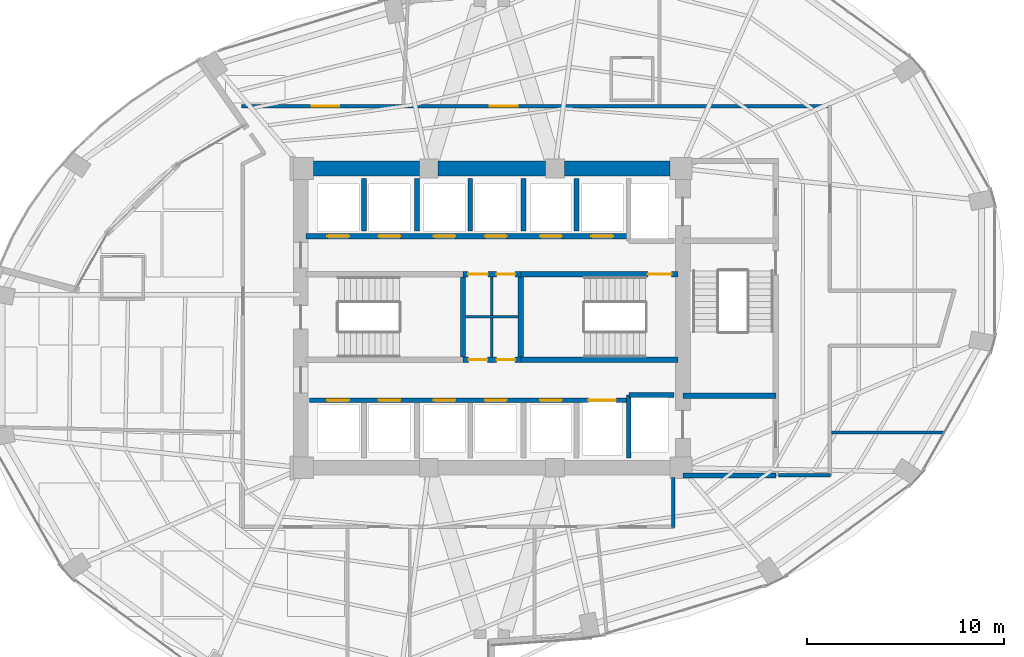
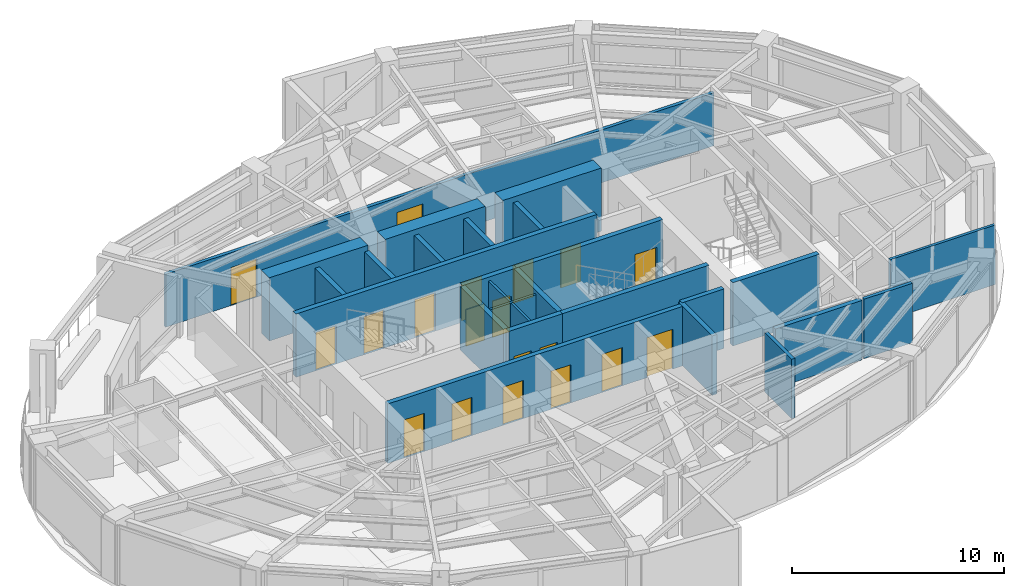
# One storey, part 21 of 24: 26 walls, 19 doors, 19 openings.
"""IFC4 building model written with IfcOpenShell, lengths in metres."""

from ifc_helpers import new_model, si_unit, direction, frame, frame_2d, origin, place, context, subcontext, project, spatial, rectangle, extrude, material, layer, layer_set, type_object, element, fill, save


model = new_model("IFC4")

# Units and contexts
model_context = context("Model", 3, precision=1e-05, world=origin(), true_north=direction((0.0, 1.0)))
body_context = subcontext(model_context, "Body", "Model", "MODEL_VIEW")
ifc_project = project(units=[si_unit("LENGTHUNIT", "METRE"), si_unit("AREAUNIT", "SQUARE_METRE"), si_unit("VOLUMEUNIT", "CUBIC_METRE"), si_unit("PLANEANGLEUNIT", "RADIAN"), si_unit("MASSUNIT", "GRAM", prefix="KILO")], contexts=[model_context])

# Site, building, storey
site_placement = place(None, origin())
site = spatial("IfcSite", under=ifc_project, at=site_placement, CompositionType="ELEMENT")
building_placement = place(site_placement, origin())
building = spatial("IfcBuilding", under=site, at=building_placement, Name="Lazwardi Medical Tower", CompositionType="ELEMENT")
storey_placement = place(building_placement, frame((0.0, 0.0, 110.927978515625)))
storey = spatial("IfcBuildingStorey", under=building, at=storey_placement, Name="L28", CompositionType="ELEMENT", Elevation=110.927978515625)

# Wall, openings, doors
ifc_material_1 = material(Name="Fire-rated gypsum board on steel stud", Category="steel")
ifc_layer_1 = layer(ifc_material_1, 0.179931640625)
ifc_layer_set_1 = layer_set([ifc_layer_1], Name="Fire-rated gypsum board on steel stud")
wall_type_1 = type_object("IfcWallType", Name="WL-COR-180", PredefinedType="PARTITIONING", material=ifc_layer_set_1)
wall_1_placement = place(storey_placement, frame((23.28662109375, 38.75, 0.0), z_axis=(0.0, 0.0, 1.0), x_axis=(1.0, 0.0, 0.0)))
wall_1 = element("IfcWall", 1, at=wall_1_placement, inside=storey, type_object=wall_type_1, Name="L28 Corridor partition 4", PredefinedType="PARTITIONING", context=body_context, shape_type="SweptSolid", body=[
    extrude(rectangle(XDim=29.9033203125, YDim=0.179931640625, at=frame_2d((14.95166015625, 0.0))), origin(), (0.0, 0.0, 1.0), 3.052978515625),
])
opening_1_placement = place(wall_1_placement, frame((12.614990234375, 0.0, 0.0)))
opening_1 = element("IfcOpeningElement", 2, at=opening_1_placement, cuts=wall_1, Name="Opening D-L28-017", PredefinedType="OPENING", context=body_context, shape_type="SweptSolid", body=[
    extrude(rectangle(XDim=1.39990234375, YDim=2.199951171875, at=frame_2d((0.699951171875, 1.10009765625))), frame((0.0, 0.099853515625, 0.0), z_axis=(0.0, -1.0, 0.0), x_axis=(1.0, 0.0, 0.0)), (0.0, 0.0, 1.0), 0.199951171875),
])
opening_2_placement = place(wall_1_placement, frame((3.5673828125, 0.0, 0.0)))
opening_2 = element("IfcOpeningElement", 3, at=opening_2_placement, cuts=wall_1, Name="Opening D-L28-018", PredefinedType="OPENING", context=body_context, shape_type="SweptSolid", body=[
    extrude(rectangle(XDim=1.39990234375, YDim=2.199951171875, at=frame_2d((0.699951171875, 1.10009765625))), frame((0.0, 0.099853515625, 0.0), z_axis=(0.0, -1.0, 0.0), x_axis=(1.0, 0.0, 0.0)), (0.0, 0.0, 1.0), 0.199951171875),
])
ifc_material_2 = material(Name="Anti-microbial laminate hospital leaf")
door_type_1 = type_object("IfcDoorType", Name="DR-BED-1400", OperationType="NOTDEFINED", PredefinedType="DOOR", material=ifc_material_2)
door_1_placement = place(opening_1_placement, origin())
door_1 = element("IfcDoor", 4, at=door_1_placement, inside=storey, type_object=door_type_1, Name="L28 Inpatient Ward Door 07", OperationType="SINGLE_SWING_RIGHT", OverallHeight=2.199951171875, OverallWidth=1.39990234375, PredefinedType="DOOR", context=body_context, shape_type="SweptSolid", body=[
    extrude(rectangle(XDim=1.39990234375, YDim=2.199951171875, at=frame_2d((0.699951171875, 1.10009765625))), frame((0.0, 0.02490234375, 0.0), z_axis=(0.0, -1.0, 0.0), x_axis=(1.0, 0.0, 0.0)), (0.0, 0.0, 1.0), 0.050048828125),
])
fill(opening_1, door_1)
door_2_placement = place(opening_2_placement, origin())
door_2 = element("IfcDoor", 5, at=door_2_placement, inside=storey, type_object=door_type_1, Name="L28 Inpatient Ward Door 08", OperationType="SINGLE_SWING_LEFT", OverallHeight=2.199951171875, OverallWidth=1.39990234375, PredefinedType="DOOR", context=body_context, shape_type="SweptSolid", body=[
    extrude(rectangle(XDim=1.39990234375, YDim=2.199951171875, at=frame_2d((0.699951171875, 1.10009765625))), frame((0.0, 0.02490234375, 0.0), z_axis=(0.0, -1.0, 0.0), x_axis=(1.0, 0.0, 0.0)), (0.0, 0.0, 1.0), 0.050048828125),
])
fill(opening_2, door_2)

# Walls
wall_2_placement = place(storey_placement, frame((53.18994140625, 20.02001953125, 0.0), z_axis=(0.0, 0.0, 1.0), x_axis=(-1.0, 0.0, 0.0)))
element("IfcWall", 6, at=wall_2_placement, inside=storey, type_object=wall_type_1, Name="L28 Corridor partition 10", PredefinedType="PARTITIONING", context=body_context, shape_type="SweptSolid", body=[
    extrude(rectangle(XDim=2.64990234375, YDim=0.179931640625, at=frame_2d((1.324951171875, 0.0))), origin(), (0.0, 0.0, 1.0), 3.427978515625),
])
wall_3_placement = place(storey_placement, frame((45.199951171875, 19.909912109375, 0.0), z_axis=(0.0, 0.0, 1.0), x_axis=(0.0, -1.0, 0.0)))
element("IfcWall", 7, at=wall_3_placement, inside=storey, type_object=wall_type_1, Name="L28 Corridor partition 13", PredefinedType="PARTITIONING", context=body_context, shape_type="SweptSolid", body=[
    extrude(rectangle(XDim=2.5498046875, YDim=0.179931640625, at=frame_2d((1.27490234375, 0.0))), origin(), (0.0, 0.0, 1.0), 3.427978515625),
])
ifc_material_3 = material(Name="Concrete C70/85", Category="concrete")
ifc_layer_2 = layer(ifc_material_3, 0.75)
ifc_layer_set_2 = layer_set([ifc_layer_2], Name="Concrete C70/85")
wall_type_2 = type_object("IfcWallType", Name="WL-CORE-750", PredefinedType="SHEAR", material=ifc_layer_set_2)
wall_4_placement = place(storey_placement, frame((26.949951171875, 35.60009765625, 0.0), z_axis=(0.0, 0.0, 1.0), x_axis=(1.0, 0.0, 0.0)))
element("IfcWall", 8, at=wall_4_placement, inside=storey, type_object=wall_type_2, Name="Core wall CW-S2 N1 L28", PredefinedType="SHEAR", context=body_context, shape_type="SweptSolid", body=[
    extrude(rectangle(XDim=5.375, YDim=0.75, at=frame_2d((2.6875, 0.0))), origin(), (0.0, 0.0, 1.0), 3.64794921875),
])
wall_5_placement = place(storey_placement, frame((33.27490234375, 35.60009765625, 0.0), z_axis=(0.0, 0.0, 1.0), x_axis=(1.0, 0.0, 0.0)))
element("IfcWall", 9, at=wall_5_placement, inside=storey, type_object=wall_type_2, Name="Core wall CW-S2 N2 L28", PredefinedType="SHEAR", context=body_context, shape_type="SweptSolid", body=[
    extrude(rectangle(XDim=5.4501953125, YDim=0.75, at=frame_2d((2.72509765625, 0.0))), origin(), (0.0, 0.0, 1.0), 3.64794921875),
])
wall_6_placement = place(storey_placement, frame((39.675048828125, 35.60009765625, 0.0), z_axis=(0.0, 0.0, 1.0), x_axis=(1.0, 0.0, 0.0)))
element("IfcWall", 10, at=wall_6_placement, inside=storey, type_object=wall_type_2, Name="Core wall CW-S2 N3 L28", PredefinedType="SHEAR", context=body_context, shape_type="SweptSolid", body=[
    extrude(rectangle(XDim=5.375, YDim=0.75, at=frame_2d((2.6875, 0.0))), origin(), (0.0, 0.0, 1.0), 3.64794921875),
])
ifc_material_4 = material(Name="Moisture-resistant gypsum board partition")
ifc_layer_3 = layer(ifc_material_4, 0.125)
ifc_layer_set_3 = layer_set([ifc_layer_3], Name="Moisture-resistant gypsum board partition")
wall_type_3 = type_object("IfcWallType", Name="WL-ENS-125", PredefinedType="PARTITIONING", material=ifc_layer_set_3)
wall_7_placement = place(storey_placement, frame((34.64990234375, 28.06005859375, 0.0), z_axis=(0.0, 0.0, 1.0), x_axis=(1.0, 0.0, 0.0)))
element("IfcWall", 11, at=wall_7_placement, inside=storey, type_object=wall_type_3, Name="L28 Core 4-way H divider", PredefinedType="PARTITIONING", context=body_context, shape_type="SweptSolid", body=[
    extrude(rectangle(XDim=2.7001953125, YDim=0.125, at=frame_2d((1.35009765625, 0.0))), origin(), (0.0, 0.0, 1.0), 3.427978515625),
])
wall_8_placement = place(storey_placement, frame((36.0, 26.02001953125, 0.0), z_axis=(0.0, 0.0, 1.0), x_axis=(0.0, 1.0, 0.0)))
element("IfcWall", 12, at=wall_8_placement, inside=storey, type_object=wall_type_3, Name="L28 Core 4-way V divider", PredefinedType="PARTITIONING", context=body_context, shape_type="SweptSolid", body=[
    extrude(rectangle(XDim=4.080078125, YDim=0.125, at=frame_2d((2.0400390625, 0.0))), origin(), (0.0, 0.0, 1.0), 3.427978515625),
])

# Wall, openings, doors
ifc_material_5 = material(Name="Autoclaved aerated concrete blockwork", Category="masonry")
ifc_layer_4 = layer(ifc_material_5, 0.25)
ifc_layer_set_4 = layer_set([ifc_layer_4], Name="Autoclaved aerated concrete blockwork")
wall_type_4 = type_object("IfcWallType", Name="WL-SHAFT-250", PredefinedType="SOLIDWALL", material=ifc_layer_set_4)
wall_9_placement = place(storey_placement, frame((26.75, 23.830078125, 0.0), z_axis=(0.0, 0.0, 1.0), x_axis=(1.0, 0.0, 0.0)))
wall_9 = element("IfcWall", 13, at=wall_9_placement, inside=storey, type_object=wall_type_4, Name="L28 South lift bank front wall", PredefinedType="SOLIDWALL", context=body_context, shape_type="SweptSolid", body=[
    extrude(rectangle(XDim=16.199951171875, YDim=0.25, at=frame_2d((8.10009765625, 0.0))), origin(), (0.0, 0.0, 1.0), 3.427978515625),
])
opening_3_placement = place(wall_9_placement, frame((0.89990234375, 0.0, 0.0)))
opening_3 = element("IfcOpeningElement", 14, at=opening_3_placement, cuts=wall_9, Name="Opening LD-L28-006", PredefinedType="OPENING", context=body_context, shape_type="SweptSolid", body=[
    extrude(rectangle(XDim=1.10009765625, YDim=2.199951171875, at=frame_2d((0.550048828125, 1.10009765625))), frame((0.0, 0.135009765625, 0.0), z_axis=(0.0, -1.0, 0.0), x_axis=(1.0, 0.0, 0.0)), (0.0, 0.0, 1.0), 0.27001953125),
])
opening_4_placement = place(wall_9_placement, frame((3.5, 0.0, 0.0)))
opening_4 = element("IfcOpeningElement", 15, at=opening_4_placement, cuts=wall_9, Name="Opening LD-L28-007", PredefinedType="OPENING", context=body_context, shape_type="SweptSolid", body=[
    extrude(rectangle(XDim=1.10009765625, YDim=2.199951171875, at=frame_2d((0.550048828125, 1.10009765625))), frame((0.0, 0.135009765625, 0.0), z_axis=(0.0, -1.0, 0.0), x_axis=(1.0, 0.0, 0.0)), (0.0, 0.0, 1.0), 0.27001953125),
])
opening_5_placement = place(wall_9_placement, frame((6.300048828125, 0.0, 0.0)))
opening_5 = element("IfcOpeningElement", 16, at=opening_5_placement, cuts=wall_9, Name="Opening LD-L28-010", PredefinedType="OPENING", context=body_context, shape_type="SweptSolid", body=[
    extrude(rectangle(XDim=1.10009765625, YDim=2.199951171875, at=frame_2d((0.550048828125, 1.10009765625))), frame((0.0, 0.135009765625, 0.0), z_axis=(0.0, -1.0, 0.0), x_axis=(1.0, 0.0, 0.0)), (0.0, 0.0, 1.0), 0.27001953125),
])
opening_6_placement = place(wall_9_placement, frame((8.89990234375, 0.0, 0.0)))
opening_6 = element("IfcOpeningElement", 17, at=opening_6_placement, cuts=wall_9, Name="Opening LD-L28-011", PredefinedType="OPENING", context=body_context, shape_type="SweptSolid", body=[
    extrude(rectangle(XDim=1.10009765625, YDim=2.199951171875, at=frame_2d((0.550048828125, 1.10009765625))), frame((0.0, 0.135009765625, 0.0), z_axis=(0.0, -1.0, 0.0), x_axis=(1.0, 0.0, 0.0)), (0.0, 0.0, 1.0), 0.27001953125),
])
opening_7_placement = place(wall_9_placement, frame((11.699951171875, 0.0, 0.0)))
opening_7 = element("IfcOpeningElement", 18, at=opening_7_placement, cuts=wall_9, Name="Opening LD-L28-014", PredefinedType="OPENING", context=body_context, shape_type="SweptSolid", body=[
    extrude(rectangle(XDim=1.10009765625, YDim=2.199951171875, at=frame_2d((0.550048828125, 1.10009765625))), frame((0.0, 0.135009765625, 0.0), z_axis=(0.0, -1.0, 0.0), x_axis=(1.0, 0.0, 0.0)), (0.0, 0.0, 1.0), 0.27001953125),
])
opening_8_placement = place(wall_9_placement, frame((14.14990234375, 0.0, 0.0)))
opening_8 = element("IfcOpeningElement", 19, at=opening_8_placement, cuts=wall_9, Name="Opening LD-L28-003", PredefinedType="OPENING", context=body_context, shape_type="SweptSolid", body=[
    extrude(rectangle(XDim=1.39990234375, YDim=2.300048828125, at=frame_2d((0.699951171875, 1.14990234375))), frame((0.0, 0.135009765625, 0.0), z_axis=(0.0, -1.0, 0.0), x_axis=(1.0, 0.0, 0.0)), (0.0, 0.0, 1.0), 0.27001953125),
])
ifc_material_6 = material(Name="Brushed bronze stainless steel landing door", Category="steel")
door_type_2 = type_object("IfcDoorType", Name="DR-LFT-1100", OperationType="NOTDEFINED", PredefinedType="DOOR", material=ifc_material_6)
door_3_placement = place(opening_3_placement, origin())
door_3 = element("IfcDoor", 20, at=door_3_placement, inside=storey, type_object=door_type_2, Name="L28 Lift Landing Door PL-03", OperationType="SLIDING_TO_LEFT", OverallHeight=2.199951171875, OverallWidth=1.10009765625, PredefinedType="DOOR", context=body_context, shape_type="SweptSolid", body=[
    extrude(rectangle(XDim=1.10009765625, YDim=2.199951171875, at=frame_2d((0.550048828125, 1.10009765625))), frame((0.0, 0.02490234375, 0.0), z_axis=(0.0, -1.0, 0.0), x_axis=(1.0, 0.0, 0.0)), (0.0, 0.0, 1.0), 0.050048828125),
])
fill(opening_3, door_3)
door_4_placement = place(opening_4_placement, origin())
door_4 = element("IfcDoor", 21, at=door_4_placement, inside=storey, type_object=door_type_2, Name="L28 Lift Landing Door PL-04", OperationType="SLIDING_TO_LEFT", OverallHeight=2.199951171875, OverallWidth=1.10009765625, PredefinedType="DOOR", context=body_context, shape_type="SweptSolid", body=[
    extrude(rectangle(XDim=1.10009765625, YDim=2.199951171875, at=frame_2d((0.550048828125, 1.10009765625))), frame((0.0, 0.02490234375, 0.0), z_axis=(0.0, -1.0, 0.0), x_axis=(1.0, 0.0, 0.0)), (0.0, 0.0, 1.0), 0.050048828125),
])
fill(opening_4, door_4)
door_5_placement = place(opening_5_placement, origin())
door_5 = element("IfcDoor", 22, at=door_5_placement, inside=storey, type_object=door_type_2, Name="L28 Lift Landing Door PL-07", OperationType="SLIDING_TO_LEFT", OverallHeight=2.199951171875, OverallWidth=1.10009765625, PredefinedType="DOOR", context=body_context, shape_type="SweptSolid", body=[
    extrude(rectangle(XDim=1.10009765625, YDim=2.199951171875, at=frame_2d((0.550048828125, 1.10009765625))), frame((0.0, 0.02490234375, 0.0), z_axis=(0.0, -1.0, 0.0), x_axis=(1.0, 0.0, 0.0)), (0.0, 0.0, 1.0), 0.050048828125),
])
fill(opening_5, door_5)
door_6_placement = place(opening_6_placement, origin())
door_6 = element("IfcDoor", 23, at=door_6_placement, inside=storey, type_object=door_type_2, Name="L28 Lift Landing Door PL-08", OperationType="SLIDING_TO_LEFT", OverallHeight=2.199951171875, OverallWidth=1.10009765625, PredefinedType="DOOR", context=body_context, shape_type="SweptSolid", body=[
    extrude(rectangle(XDim=1.10009765625, YDim=2.199951171875, at=frame_2d((0.550048828125, 1.10009765625))), frame((0.0, 0.02490234375, 0.0), z_axis=(0.0, -1.0, 0.0), x_axis=(1.0, 0.0, 0.0)), (0.0, 0.0, 1.0), 0.050048828125),
])
fill(opening_6, door_6)
door_7_placement = place(opening_7_placement, origin())
door_7 = element("IfcDoor", 24, at=door_7_placement, inside=storey, type_object=door_type_2, Name="L28 Lift Landing Door PL-11", OperationType="SLIDING_TO_LEFT", OverallHeight=2.199951171875, OverallWidth=1.10009765625, PredefinedType="DOOR", context=body_context, shape_type="SweptSolid", body=[
    extrude(rectangle(XDim=1.10009765625, YDim=2.199951171875, at=frame_2d((0.550048828125, 1.10009765625))), frame((0.0, 0.02490234375, 0.0), z_axis=(0.0, -1.0, 0.0), x_axis=(1.0, 0.0, 0.0)), (0.0, 0.0, 1.0), 0.050048828125),
])
fill(opening_7, door_7)
ifc_material_7 = material(Name="Brushed stainless steel bed-lift landing door", Category="steel")
door_type_3 = type_object("IfcDoorType", Name="DR-LFT-1400", OperationType="NOTDEFINED", PredefinedType="DOOR", material=ifc_material_7)
door_8_placement = place(opening_8_placement, origin())
door_8 = element("IfcDoor", 25, at=door_8_placement, inside=storey, type_object=door_type_3, Name="L28 Lift Landing Door FL-03", OperationType="SLIDING_TO_LEFT", OverallHeight=2.300048828125, OverallWidth=1.39990234375, PredefinedType="DOOR", context=body_context, shape_type="SweptSolid", body=[
    extrude(rectangle(XDim=1.39990234375, YDim=2.300048828125, at=frame_2d((0.699951171875, 1.14990234375))), frame((0.0, 0.02490234375, 0.0), z_axis=(0.0, -1.0, 0.0), x_axis=(1.0, 0.0, 0.0)), (0.0, 0.0, 1.0), 0.050048828125),
])
fill(opening_8, door_8)

# Walls
wall_10_placement = place(storey_placement, frame((42.949951171875, 20.89990234375, 0.0), z_axis=(0.0, 0.0, 1.0), x_axis=(0.0, 1.0, 0.0)))
element("IfcWall", 26, at=wall_10_placement, inside=storey, type_object=wall_type_4, Name="L28 FL-02 West shaft wall", PredefinedType="SOLIDWALL", context=body_context, shape_type="SweptSolid", body=[
    extrude(rectangle(XDim=3.2001953125, YDim=0.25, at=frame_2d((1.60009765625, 0.0))), origin(), (0.0, 0.0, 1.0), 3.427978515625),
])
wall_11_placement = place(storey_placement, frame((42.949951171875, 24.10009765625, 0.0), z_axis=(0.0, 0.0, 1.0), x_axis=(1.0, 0.0, 0.0)))
element("IfcWall", 27, at=wall_11_placement, inside=storey, type_object=wall_type_4, Name="L28 FL-02 North shaft wall", PredefinedType="SOLIDWALL", context=body_context, shape_type="SweptSolid", body=[
    extrude(rectangle(XDim=2.300048828125, YDim=0.25, at=frame_2d((1.14990234375, 0.0))), origin(), (0.0, 0.0, 1.0), 3.427978515625),
])
for number, where, z_axis, x_axis, name in (
    (28, (29.5, 32.419921875, 0.0), (0.0, 0.0, 1.0), (0.0, 1.0, 0.0), "L28 North hoistway divider"),
    (29, (32.199951171875, 32.419921875, 0.0), (0.0, 0.0, 1.0), (0.0, 1.0, 0.0), "L28 North hoistway divider"),
    (30, (34.89990234375, 32.419921875, 0.0), (0.0, 0.0, 1.0), (0.0, 1.0, 0.0), "L28 North hoistway divider"),
    (31, (37.60009765625, 32.419921875, 0.0), (0.0, 0.0, 1.0), (0.0, 1.0, 0.0), "L28 North hoistway divider"),
    (32, (40.300048828125, 32.419921875, 0.0), (0.0, 0.0, 1.0), (0.0, 1.0, 0.0), "L28 North hoistway divider"),
):
    element("IfcWall", number, at=place(storey_placement, frame(where, z_axis=z_axis, x_axis=x_axis)), inside=storey, type_object=wall_type_4, Name=name, PredefinedType="SOLIDWALL", context=body_context, shape_type="SweptSolid", body=[
        extrude(rectangle(XDim=2.68017578125, YDim=0.25, at=frame_2d((1.340087890625, 0.0))), origin(), (0.0, 0.0, 1.0), 3.427978515625),
    ])
wall_12_placement = place(storey_placement, frame((45.699951171875, 20.02001953125, 0.0), z_axis=(0.0, 0.0, 1.0), x_axis=(1.0, 0.0, 0.0)))
element("IfcWall", 33, at=wall_12_placement, inside=storey, type_object=wall_type_4, Name="L28 FFL-S South wall", PredefinedType="SOLIDWALL", context=body_context, shape_type="SweptSolid", body=[
    extrude(rectangle(XDim=4.715087890625, YDim=0.25, at=frame_2d((2.357421875, 0.0))), origin(), (0.0, 0.0, 1.0), 3.427978515625),
])

# Wall, openings, doors
ifc_material_8 = material(Name="Concrete C50/60", Category="concrete")
ifc_layer_5 = layer(ifc_material_8, 0.27001953125)
ifc_layer_set_5 = layer_set([ifc_layer_5], Name="Concrete C50/60")
wall_type_5 = type_object("IfcWallType", Name="WL-STR-250", PredefinedType="SHEAR", material=ifc_layer_set_5)
wall_13_placement = place(storey_placement, frame((34.534912109375, 30.235107421875, 0.0), z_axis=(0.0, 0.0, 1.0), x_axis=(1.0, 0.0, 0.0)))
wall_13 = element("IfcWall", 34, at=wall_13_placement, inside=storey, type_object=wall_type_5, Name="L28 Core service North shear wall SW-S1", PredefinedType="SHEAR", context=body_context, shape_type="SweptSolid", body=[
    extrude(rectangle(XDim=2.93017578125, YDim=0.27001953125, at=frame_2d((1.465087890625, 0.0))), origin(), (0.0, 0.0, 1.0), 3.64794921875),
])
opening_9_placement = place(wall_13_placement, frame((0.2548828125, 0.0, 0.0)))
opening_9 = element("IfcOpeningElement", 35, at=opening_9_placement, cuts=wall_13, Name="Opening D-L28-003", PredefinedType="OPENING", context=body_context, shape_type="SweptSolid", body=[
    extrude(rectangle(XDim=1.0, YDim=2.10009765625, at=frame_2d((0.5, 1.050048828125))), frame((0.0, 0.14501953125, 0.0), z_axis=(0.0, -1.0, 0.0), x_axis=(1.0, 0.0, 0.0)), (0.0, 0.0, 1.0), 0.2900390625),
])
opening_10_placement = place(wall_13_placement, frame((1.699951171875, 0.0, 0.0)))
opening_10 = element("IfcOpeningElement", 36, at=opening_10_placement, cuts=wall_13, Name="Opening D-L28-004", PredefinedType="OPENING", context=body_context, shape_type="SweptSolid", body=[
    extrude(rectangle(XDim=0.949951171875, YDim=2.10009765625, at=frame_2d((0.47509765625, 1.050048828125))), frame((0.0, 0.14501953125, 0.0), z_axis=(0.0, -1.0, 0.0), x_axis=(1.0, 0.0, 0.0)), (0.0, 0.0, 1.0), 0.2900390625),
])
ifc_material_9 = material(Name="Moisture-resistant laminate door leaf")
door_type_4 = type_object("IfcDoorType", Name="DR-AWC-1000", OperationType="NOTDEFINED", PredefinedType="DOOR", material=ifc_material_9)
door_9_placement = place(opening_9_placement, origin())
door_9 = element("IfcDoor", 37, at=door_9_placement, inside=storey, type_object=door_type_4, Name="L28 Accessible WC Door", OperationType="SINGLE_SWING_RIGHT", OverallHeight=2.10009765625, OverallWidth=1.0, PredefinedType="DOOR", context=body_context, shape_type="SweptSolid", body=[
    extrude(rectangle(XDim=1.0, YDim=2.10009765625, at=frame_2d((0.5, 1.050048828125))), frame((0.0, 0.02490234375, 0.0), z_axis=(0.0, -1.0, 0.0), x_axis=(1.0, 0.0, 0.0)), (0.0, 0.0, 1.0), 0.050048828125),
])
fill(opening_9, door_9)
door_type_5 = type_object("IfcDoorType", Name="DR-ENS-950", OperationType="NOTDEFINED", PredefinedType="DOOR", material=ifc_material_9)
door_10_placement = place(opening_10_placement, origin())
door_10 = element("IfcDoor", 38, at=door_10_placement, inside=storey, type_object=door_type_5, Name="L28 Clean Utility Door", OperationType="SINGLE_SWING_LEFT", OverallHeight=2.10009765625, OverallWidth=0.949951171875, PredefinedType="DOOR", context=body_context, shape_type="SweptSolid", body=[
    extrude(rectangle(XDim=0.949951171875, YDim=2.10009765625, at=frame_2d((0.47509765625, 1.050048828125))), frame((0.0, 0.02490234375, 0.0), z_axis=(0.0, -1.0, 0.0), x_axis=(1.0, 0.0, 0.0)), (0.0, 0.0, 1.0), 0.050048828125),
])
fill(opening_10, door_10)

# Wall, opening, door
wall_14_placement = place(storey_placement, frame((37.465087890625, 30.235107421875, 0.0), z_axis=(0.0, 0.0, 1.0), x_axis=(1.0, 0.0, 0.0)))
wall_14 = element("IfcWall", 39, at=wall_14_placement, inside=storey, type_object=wall_type_5, Name="L28 ST2 North shear shaft wall SW-S1", PredefinedType="SHEAR", context=body_context, shape_type="SweptSolid", body=[
    extrude(rectangle(XDim=7.98486328125, YDim=0.27001953125, at=frame_2d((3.992431640625, 0.0))), origin(), (0.0, 0.0, 1.0), 3.64794921875),
])
opening_11_placement = place(wall_14_placement, frame((6.455078125, 0.0, 0.0)))
opening_11 = element("IfcOpeningElement", 40, at=opening_11_placement, cuts=wall_14, Name="Opening D-L28-021", PredefinedType="OPENING", context=body_context, shape_type="SweptSolid", body=[
    extrude(rectangle(XDim=1.199951171875, YDim=2.14990234375, at=frame_2d((0.60009765625, 1.074951171875))), frame((0.0, 0.14501953125, 0.0), z_axis=(0.0, -1.0, 0.0), x_axis=(1.0, 0.0, 0.0)), (0.0, 0.0, 1.0), 0.2900390625),
])
ifc_material_10 = material(Name="Fire-rated steel leaf and frame", Category="steel")
door_type_6 = type_object("IfcDoorType", Name="DR-STR-1200", OperationType="NOTDEFINED", PredefinedType="DOOR", material=ifc_material_10)
door_11_placement = place(opening_11_placement, origin())
door_11 = element("IfcDoor", 41, at=door_11_placement, inside=storey, type_object=door_type_6, Name="L28 Exit Stair ST2 Door", OperationType="SINGLE_SWING_LEFT", OverallHeight=2.14990234375, OverallWidth=1.199951171875, PredefinedType="DOOR", context=body_context, shape_type="SweptSolid", body=[
    extrude(rectangle(XDim=1.199951171875, YDim=2.14990234375, at=frame_2d((0.60009765625, 1.074951171875))), frame((0.0, 0.02490234375, 0.0), z_axis=(0.0, -1.0, 0.0), x_axis=(1.0, 0.0, 0.0)), (0.0, 0.0, 1.0), 0.050048828125),
])
fill(opening_11, door_11)

# Wall, openings, doors
wall_15_placement = place(storey_placement, frame((34.534912109375, 25.885009765625, 0.0), z_axis=(0.0, 0.0, 1.0), x_axis=(1.0, 0.0, 0.0)))
wall_15 = element("IfcWall", 42, at=wall_15_placement, inside=storey, type_object=wall_type_5, Name="L28 Core service South shear wall SW-S1", PredefinedType="SHEAR", context=body_context, shape_type="SweptSolid", body=[
    extrude(rectangle(XDim=2.93017578125, YDim=0.27001953125, at=frame_2d((1.465087890625, 0.0))), origin(), (0.0, 0.0, 1.0), 3.64794921875),
])
opening_12_placement = place(wall_15_placement, frame((0.280029296875, 0.0, 0.0)))
opening_12 = element("IfcOpeningElement", 43, at=opening_12_placement, cuts=wall_15, Name="Opening D-L28-001", PredefinedType="OPENING", context=body_context, shape_type="SweptSolid", body=[
    extrude(rectangle(XDim=0.949951171875, YDim=2.10009765625, at=frame_2d((0.47509765625, 1.050048828125))), frame((0.0, 0.14501953125, 0.0), z_axis=(0.0, -1.0, 0.0), x_axis=(1.0, 0.0, 0.0)), (0.0, 0.0, 1.0), 0.2900390625),
])
opening_13_placement = place(wall_15_placement, frame((1.699951171875, 0.0, 0.0)))
opening_13 = element("IfcOpeningElement", 44, at=opening_13_placement, cuts=wall_15, Name="Opening D-L28-002", PredefinedType="OPENING", context=body_context, shape_type="SweptSolid", body=[
    extrude(rectangle(XDim=0.949951171875, YDim=2.10009765625, at=frame_2d((0.47509765625, 1.050048828125))), frame((0.0, 0.14501953125, 0.0), z_axis=(0.0, -1.0, 0.0), x_axis=(1.0, 0.0, 0.0)), (0.0, 0.0, 1.0), 0.2900390625),
])
door_12_placement = place(opening_12_placement, origin())
door_12 = element("IfcDoor", 45, at=door_12_placement, inside=storey, type_object=door_type_5, Name="L28 Staff WC Door", OperationType="SINGLE_SWING_RIGHT", OverallHeight=2.10009765625, OverallWidth=0.949951171875, PredefinedType="DOOR", context=body_context, shape_type="SweptSolid", body=[
    extrude(rectangle(XDim=0.949951171875, YDim=2.10009765625, at=frame_2d((0.47509765625, 1.050048828125))), frame((0.0, 0.02490234375, 0.0), z_axis=(0.0, -1.0, 0.0), x_axis=(1.0, 0.0, 0.0)), (0.0, 0.0, 1.0), 0.050048828125),
])
fill(opening_12, door_12)
door_13_placement = place(opening_13_placement, origin())
door_13 = element("IfcDoor", 46, at=door_13_placement, inside=storey, type_object=door_type_5, Name="L28 Comms Room Door", OperationType="SINGLE_SWING_LEFT", OverallHeight=2.10009765625, OverallWidth=0.949951171875, PredefinedType="DOOR", context=body_context, shape_type="SweptSolid", body=[
    extrude(rectangle(XDim=0.949951171875, YDim=2.10009765625, at=frame_2d((0.47509765625, 1.050048828125))), frame((0.0, 0.02490234375, 0.0), z_axis=(0.0, -1.0, 0.0), x_axis=(1.0, 0.0, 0.0)), (0.0, 0.0, 1.0), 0.050048828125),
])
fill(opening_13, door_13)

# Walls
wall_16_placement = place(storey_placement, frame((37.465087890625, 25.885009765625, 0.0), z_axis=(0.0, 0.0, 1.0), x_axis=(1.0, 0.0, 0.0)))
element("IfcWall", 47, at=wall_16_placement, inside=storey, type_object=wall_type_5, Name="L28 ST2 South shear shaft wall SW-S1", PredefinedType="SHEAR", context=body_context, shape_type="SweptSolid", body=[
    extrude(rectangle(XDim=7.98486328125, YDim=0.27001953125, at=frame_2d((3.992431640625, 0.0))), origin(), (0.0, 0.0, 1.0), 3.64794921875),
])
for number, where, z_axis, x_axis, name in (
    (48, (34.534912109375, 26.02001953125, 0.0), (0.0, 0.0, 1.0), (0.0, 1.0, 0.0), "L28 ST1 East shear shaft wall SW-S1"),
    (49, (37.465087890625, 26.02001953125, 0.0), (0.0, 0.0, 1.0), (0.0, 1.0, 0.0), "L28 ST2 West shear shaft wall SW-S1"),
):
    element("IfcWall", number, at=place(storey_placement, frame(where, z_axis=z_axis, x_axis=x_axis)), inside=storey, type_object=wall_type_5, Name=name, PredefinedType="SHEAR", context=body_context, shape_type="SweptSolid", body=[
        extrude(rectangle(XDim=4.080078125, YDim=0.27001953125, at=frame_2d((2.0400390625, 0.0))), origin(), (0.0, 0.0, 1.0), 3.64794921875),
    ])

# Wall, openings, doors
wall_17_placement = place(storey_placement, frame((26.550048828125, 32.14990234375, 0.0), z_axis=(0.0, 0.0, 1.0), x_axis=(1.0, 0.0, 0.0)))
wall_17 = element("IfcWall", 50, at=wall_17_placement, inside=storey, type_object=wall_type_5, Name="L28 North lift bank shear wall SW-S1", PredefinedType="SHEAR", context=body_context, shape_type="SweptSolid", body=[
    extrude(rectangle(XDim=16.39990234375, YDim=0.27001953125, at=frame_2d((8.199951171875, 0.0))), origin(), (0.0, 0.0, 1.0), 3.64794921875),
])
opening_14_placement = place(wall_17_placement, frame((1.10009765625, 0.0, 0.0)))
opening_14 = element("IfcOpeningElement", 51, at=opening_14_placement, cuts=wall_17, Name="Opening LD-L28-004", PredefinedType="OPENING", context=body_context, shape_type="SweptSolid", body=[
    extrude(rectangle(XDim=1.10009765625, YDim=2.199951171875, at=frame_2d((0.550048828125, 1.10009765625))), frame((0.0, 0.14501953125, 0.0), z_axis=(0.0, -1.0, 0.0), x_axis=(1.0, 0.0, 0.0)), (0.0, 0.0, 1.0), 0.2900390625),
])
opening_15_placement = place(wall_17_placement, frame((3.699951171875, 0.0, 0.0)))
opening_15 = element("IfcOpeningElement", 52, at=opening_15_placement, cuts=wall_17, Name="Opening LD-L28-005", PredefinedType="OPENING", context=body_context, shape_type="SweptSolid", body=[
    extrude(rectangle(XDim=1.10009765625, YDim=2.199951171875, at=frame_2d((0.550048828125, 1.10009765625))), frame((0.0, 0.14501953125, 0.0), z_axis=(0.0, -1.0, 0.0), x_axis=(1.0, 0.0, 0.0)), (0.0, 0.0, 1.0), 0.2900390625),
])
opening_16_placement = place(wall_17_placement, frame((6.5, 0.0, 0.0)))
opening_16 = element("IfcOpeningElement", 53, at=opening_16_placement, cuts=wall_17, Name="Opening LD-L28-008", PredefinedType="OPENING", context=body_context, shape_type="SweptSolid", body=[
    extrude(rectangle(XDim=1.10009765625, YDim=2.199951171875, at=frame_2d((0.550048828125, 1.10009765625))), frame((0.0, 0.14501953125, 0.0), z_axis=(0.0, -1.0, 0.0), x_axis=(1.0, 0.0, 0.0)), (0.0, 0.0, 1.0), 0.2900390625),
])
opening_17_placement = place(wall_17_placement, frame((9.10009765625, 0.0, 0.0)))
opening_17 = element("IfcOpeningElement", 54, at=opening_17_placement, cuts=wall_17, Name="Opening LD-L28-009", PredefinedType="OPENING", context=body_context, shape_type="SweptSolid", body=[
    extrude(rectangle(XDim=1.10009765625, YDim=2.199951171875, at=frame_2d((0.550048828125, 1.10009765625))), frame((0.0, 0.14501953125, 0.0), z_axis=(0.0, -1.0, 0.0), x_axis=(1.0, 0.0, 0.0)), (0.0, 0.0, 1.0), 0.2900390625),
])
opening_18_placement = place(wall_17_placement, frame((11.89990234375, 0.0, 0.0)))
opening_18 = element("IfcOpeningElement", 55, at=opening_18_placement, cuts=wall_17, Name="Opening LD-L28-012", PredefinedType="OPENING", context=body_context, shape_type="SweptSolid", body=[
    extrude(rectangle(XDim=1.10009765625, YDim=2.199951171875, at=frame_2d((0.550048828125, 1.10009765625))), frame((0.0, 0.14501953125, 0.0), z_axis=(0.0, -1.0, 0.0), x_axis=(1.0, 0.0, 0.0)), (0.0, 0.0, 1.0), 0.2900390625),
])
opening_19_placement = place(wall_17_placement, frame((14.5, 0.0, 0.0)))
opening_19 = element("IfcOpeningElement", 56, at=opening_19_placement, cuts=wall_17, Name="Opening LD-L28-013", PredefinedType="OPENING", context=body_context, shape_type="SweptSolid", body=[
    extrude(rectangle(XDim=1.10009765625, YDim=2.199951171875, at=frame_2d((0.550048828125, 1.10009765625))), frame((0.0, 0.14501953125, 0.0), z_axis=(0.0, -1.0, 0.0), x_axis=(1.0, 0.0, 0.0)), (0.0, 0.0, 1.0), 0.2900390625),
])
door_14_placement = place(opening_14_placement, origin())
door_14 = element("IfcDoor", 57, at=door_14_placement, inside=storey, type_object=door_type_2, Name="L28 Lift Landing Door PL-01", OperationType="SLIDING_TO_LEFT", OverallHeight=2.199951171875, OverallWidth=1.10009765625, PredefinedType="DOOR", context=body_context, shape_type="SweptSolid", body=[
    extrude(rectangle(XDim=1.10009765625, YDim=2.199951171875, at=frame_2d((0.550048828125, 1.10009765625))), frame((0.0, 0.02490234375, 0.0), z_axis=(0.0, -1.0, 0.0), x_axis=(1.0, 0.0, 0.0)), (0.0, 0.0, 1.0), 0.050048828125),
])
fill(opening_14, door_14)
door_15_placement = place(opening_15_placement, origin())
door_15 = element("IfcDoor", 58, at=door_15_placement, inside=storey, type_object=door_type_2, Name="L28 Lift Landing Door PL-02", OperationType="SLIDING_TO_LEFT", OverallHeight=2.199951171875, OverallWidth=1.10009765625, PredefinedType="DOOR", context=body_context, shape_type="SweptSolid", body=[
    extrude(rectangle(XDim=1.10009765625, YDim=2.199951171875, at=frame_2d((0.550048828125, 1.10009765625))), frame((0.0, 0.02490234375, 0.0), z_axis=(0.0, -1.0, 0.0), x_axis=(1.0, 0.0, 0.0)), (0.0, 0.0, 1.0), 0.050048828125),
])
fill(opening_15, door_15)
door_16_placement = place(opening_16_placement, origin())
door_16 = element("IfcDoor", 59, at=door_16_placement, inside=storey, type_object=door_type_2, Name="L28 Lift Landing Door PL-05", OperationType="SLIDING_TO_LEFT", OverallHeight=2.199951171875, OverallWidth=1.10009765625, PredefinedType="DOOR", context=body_context, shape_type="SweptSolid", body=[
    extrude(rectangle(XDim=1.10009765625, YDim=2.199951171875, at=frame_2d((0.550048828125, 1.10009765625))), frame((0.0, 0.02490234375, 0.0), z_axis=(0.0, -1.0, 0.0), x_axis=(1.0, 0.0, 0.0)), (0.0, 0.0, 1.0), 0.050048828125),
])
fill(opening_16, door_16)
door_17_placement = place(opening_17_placement, origin())
door_17 = element("IfcDoor", 60, at=door_17_placement, inside=storey, type_object=door_type_2, Name="L28 Lift Landing Door PL-06", OperationType="SLIDING_TO_LEFT", OverallHeight=2.199951171875, OverallWidth=1.10009765625, PredefinedType="DOOR", context=body_context, shape_type="SweptSolid", body=[
    extrude(rectangle(XDim=1.10009765625, YDim=2.199951171875, at=frame_2d((0.550048828125, 1.10009765625))), frame((0.0, 0.02490234375, 0.0), z_axis=(0.0, -1.0, 0.0), x_axis=(1.0, 0.0, 0.0)), (0.0, 0.0, 1.0), 0.050048828125),
])
fill(opening_17, door_17)
door_18_placement = place(opening_18_placement, origin())
door_18 = element("IfcDoor", 61, at=door_18_placement, inside=storey, type_object=door_type_2, Name="L28 Lift Landing Door PL-09", OperationType="SLIDING_TO_LEFT", OverallHeight=2.199951171875, OverallWidth=1.10009765625, PredefinedType="DOOR", context=body_context, shape_type="SweptSolid", body=[
    extrude(rectangle(XDim=1.10009765625, YDim=2.199951171875, at=frame_2d((0.550048828125, 1.10009765625))), frame((0.0, 0.02490234375, 0.0), z_axis=(0.0, -1.0, 0.0), x_axis=(1.0, 0.0, 0.0)), (0.0, 0.0, 1.0), 0.050048828125),
])
fill(opening_18, door_18)
door_19_placement = place(opening_19_placement, origin())
door_19 = element("IfcDoor", 62, at=door_19_placement, inside=storey, type_object=door_type_2, Name="L28 Lift Landing Door PL-10", OperationType="SLIDING_TO_LEFT", OverallHeight=2.199951171875, OverallWidth=1.10009765625, PredefinedType="DOOR", context=body_context, shape_type="SweptSolid", body=[
    extrude(rectangle(XDim=1.10009765625, YDim=2.199951171875, at=frame_2d((0.550048828125, 1.10009765625))), frame((0.0, 0.02490234375, 0.0), z_axis=(0.0, -1.0, 0.0), x_axis=(1.0, 0.0, 0.0)), (0.0, 0.0, 1.0), 0.050048828125),
])
fill(opening_19, door_19)

# Walls
wall_18_placement = place(storey_placement, frame((45.699951171875, 24.06494140625, 0.0), z_axis=(0.0, 0.0, 1.0), x_axis=(1.0, 0.0, 0.0)))
element("IfcWall", 63, at=wall_18_placement, inside=storey, type_object=wall_type_5, Name="L28 ST3 South shear shaft wall SW-S1", PredefinedType="SHEAR", context=body_context, shape_type="SweptSolid", body=[
    extrude(rectangle(XDim=4.715087890625, YDim=0.27001953125, at=frame_2d((2.357421875, 0.0))), origin(), (0.0, 0.0, 1.0), 3.64794921875),
])
ifc_material_11 = material(Name="Acoustic gypsum board partition")
ifc_layer_6 = layer(ifc_material_11, 0.14990234375)
ifc_layer_set_6 = layer_set([ifc_layer_6], Name="Acoustic gypsum board partition")
wall_type_6 = type_object("IfcWallType", Name="WL-WRD-150", PredefinedType="PARTITIONING", material=ifc_layer_set_6)
wall_19_placement = place(storey_placement, frame((53.239990234375, 22.199951171875, 0.0), z_axis=(0.0, 0.0, 1.0), x_axis=(1.0, 0.0, 0.0)))
element("IfcWall", 64, at=wall_19_placement, inside=storey, type_object=wall_type_6, Name="L28 Room partition 2", PredefinedType="PARTITIONING", context=body_context, shape_type="SweptSolid", body=[
    extrude(rectangle(XDim=5.731201171875, YDim=0.14990234375, at=frame_2d((2.86572265625, 0.0))), origin(), (0.0, 0.0, 1.0), 3.427978515625),
])

save(model, "model.ifc")
